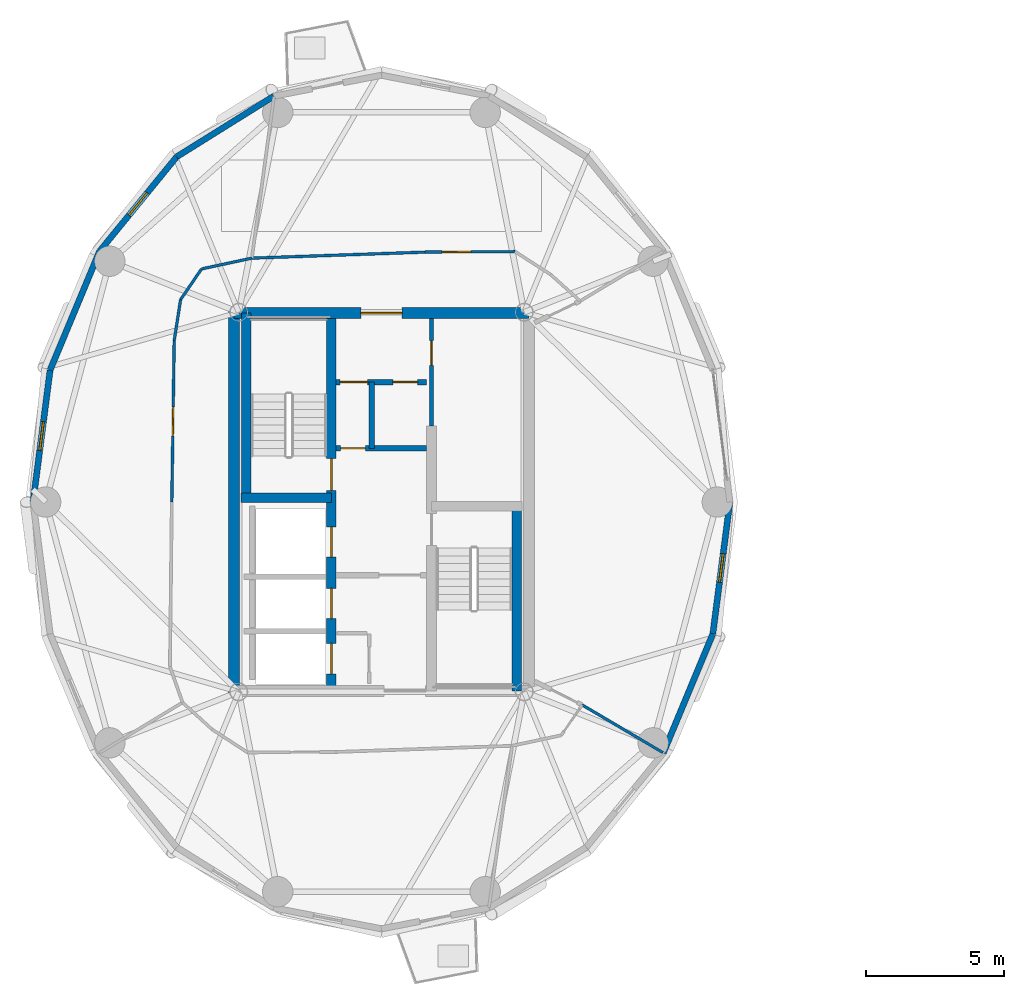
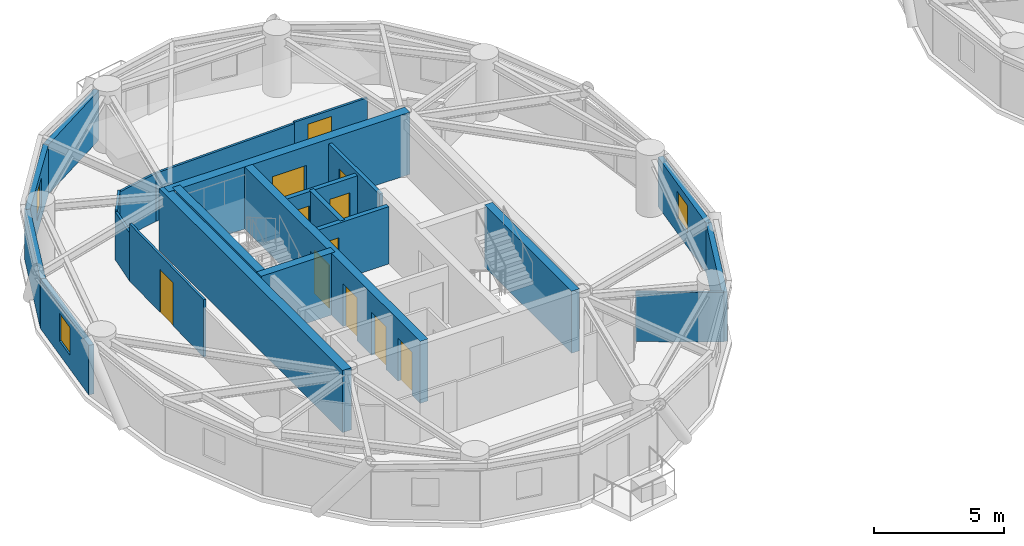
# One storey, part 8 of 15: 23 walls, 11 doors, 3 windows, 14 openings.
"""IFC4 building model written with IfcOpenShell, lengths in metres."""

from ifc_helpers import new_model, si_unit, direction, frame, frame_2d, origin, place, context, subcontext, project, spatial, rectangle, extrude, source, transform, mapped, material, layer, layer_set, type_object, element, fill, save


model = new_model("IFC4")

# Units and contexts
model_context = context("Model", 3, precision=1e-05, world=origin(), true_north=direction((0.0, 1.0)))
body_context = subcontext(model_context, "Body", "Model", "MODEL_VIEW")
ifc_project = project(units=[si_unit("LENGTHUNIT", "METRE"), si_unit("AREAUNIT", "SQUARE_METRE"), si_unit("VOLUMEUNIT", "CUBIC_METRE"), si_unit("PLANEANGLEUNIT", "RADIAN"), si_unit("MASSUNIT", "GRAM", prefix="KILO")], contexts=[model_context])

# Site, building, storey
site_placement = place(None, origin())
site = spatial("IfcSite", under=ifc_project, at=site_placement, CompositionType="ELEMENT")
building_placement = place(site_placement, origin())
building = spatial("IfcBuilding", under=site, at=building_placement, Name="Cununo Teusaquillo Station Towers", CompositionType="ELEMENT")
storey_placement = place(building_placement, frame((0.0, 0.0, 199.570068359375)))
storey = spatial("IfcBuildingStorey", under=building, at=storey_placement, Name="L63", CompositionType="ELEMENT", Elevation=199.570068359375)

# Wall, openings, doors
ifc_material_1 = material(Name="Concrete C50/60", Category="concrete")
ifc_layer_1 = layer(ifc_material_1, 0.35009765625)
ifc_layer_set_1 = layer_set([ifc_layer_1], Name="Concrete C50/60")
wall_type_1 = type_object("IfcWallType", Name="WL-CORE-350", PredefinedType="SHEAR", material=ifc_layer_set_1)
wall_1_placement = place(storey_placement, frame((14.68505859375, 17.64990234375, 0.0), z_axis=(0.0, 0.0, 1.0), x_axis=(0.0, 1.0, 0.0)))
wall_1 = element("IfcWall", 1, at=wall_1_placement, inside=storey, type_object=wall_type_1, Name="L63 Tower A Core Shear Wall IW", PredefinedType="SHEAR", context=body_context, shape_type="SweptSolid", body=[
    extrude(rectangle(XDim=13.7001953125, YDim=0.35009765625, at=frame_2d((6.85009765625, 0.0))), origin(), (0.0, 0.0, 1.0), 2.909912109375),
])
shared_shape_1 = source(origin(), body_context, "Body", "SweptSolid", [
    extrude(rectangle(XDim=1.10009765625, YDim=2.014892578125, at=frame_2d((0.550048828125, 1.00732421875))), frame((0.0, 0.18505859375, 0.0), z_axis=(0.0, -1.0, 0.0), x_axis=(1.0, 0.0, 0.0)), (0.0, 0.0, 1.0), 0.3701171875),
])
opening_1_placement = place(wall_1_placement, frame((4.85009765625, 0.0, 0.0)))
opening_1 = element("IfcOpeningElement", 2, at=opening_1_placement, cuts=wall_1, Name="Opening LD-01", PredefinedType="OPENING", context=body_context, shape_type="MappedRepresentation", body=[
    mapped(shared_shape_1, transform((0.0, 0.0, 0.0), x_axis=(1.0, 0.0, 0.0), y_axis=(0.0, 1.0, 0.0), z_axis=(0.0, 0.0, 1.0), scale=1.0)),
])
opening_2_placement = place(wall_1_placement, frame((0.625, 0.0, 0.0)))
opening_2 = element("IfcOpeningElement", 3, at=opening_2_placement, cuts=wall_1, Name="Opening LD-01", PredefinedType="OPENING", context=body_context, shape_type="MappedRepresentation", body=[
    mapped(shared_shape_1, transform((0.0, 0.0, 0.0), x_axis=(1.0, 0.0, 0.0), y_axis=(0.0, 1.0, 0.0), z_axis=(0.0, 0.0, 1.0), scale=1.0)),
])
opening_3_placement = place(wall_1_placement, frame((2.625, 0.0, 0.0)))
opening_3 = element("IfcOpeningElement", 4, at=opening_3_placement, cuts=wall_1, Name="Opening LD-01", PredefinedType="OPENING", context=body_context, shape_type="MappedRepresentation", body=[
    mapped(shared_shape_1, transform((0.0, 0.0, 0.0), x_axis=(1.0, 0.0, 0.0), y_axis=(0.0, 1.0, 0.0), z_axis=(0.0, 0.0, 1.0), scale=1.0)),
])
shared_shape_2 = source(origin(), body_context, "Body", "SweptSolid", [
    extrude(rectangle(XDim=1.14990234375, YDim=2.02001953125, at=frame_2d((0.574951171875, 1.010009765625))), frame((0.0, 0.18505859375, 0.0), z_axis=(0.0, -1.0, 0.0), x_axis=(1.0, 0.0, 0.0)), (0.0, 0.0, 1.0), 0.3701171875),
])
opening_4_placement = place(wall_1_placement, frame((7.27001953125, 0.0, 0.0)))
opening_4 = element("IfcOpeningElement", 5, at=opening_4_placement, cuts=wall_1, Name="Opening D-ST1", PredefinedType="OPENING", context=body_context, shape_type="MappedRepresentation", body=[
    mapped(shared_shape_2, transform((0.0, 0.0, 0.0), x_axis=(1.0, 0.0, 0.0), y_axis=(0.0, 1.0, 0.0), z_axis=(0.0, 0.0, 1.0), scale=1.0)),
])
ifc_material_2 = material(Name="Galvanised fire-rated hollow steel door assembly", Category="steel")
door_type_1 = type_object("IfcDoorType", Name="DR-LIFT-1100", OperationType="SLIDING_TO_LEFT", PredefinedType="DOOR", material=ifc_material_2)
shared_shape_3 = source(origin(), body_context, "Body", "SweptSolid", [
    extrude(rectangle(XDim=1.10009765625, YDim=2.014892578125, at=frame_2d((0.550048828125, 1.00732421875))), frame((0.0, 0.02490234375, 0.0), z_axis=(0.0, -1.0, 0.0), x_axis=(1.0, 0.0, 0.0)), (0.0, 0.0, 1.0), 0.050048828125),
])
door_1_placement = place(opening_1_placement, origin())
door_1 = element("IfcDoor", 6, at=door_1_placement, inside=storey, type_object=door_type_1, Name="L63 Lift FL-T1 Sliding Landing Door", OperationType="SLIDING_TO_RIGHT", OverallHeight=2.014892578125, OverallWidth=1.10009765625, PredefinedType="DOOR", context=body_context, shape_type="MappedRepresentation", body=[
    mapped(shared_shape_3, transform((0.0, 0.0, 0.0), x_axis=(1.0, 0.0, 0.0), y_axis=(0.0, 1.0, 0.0), z_axis=(0.0, 0.0, 1.0), scale=1.0)),
])
fill(opening_1, door_1)
door_2_placement = place(opening_2_placement, origin())
door_2 = element("IfcDoor", 7, at=door_2_placement, inside=storey, type_object=door_type_1, Name="L63 Lift PL-T1-H1 Sliding Landing Door", OperationType="SLIDING_TO_RIGHT", OverallHeight=2.014892578125, OverallWidth=1.10009765625, PredefinedType="DOOR", context=body_context, shape_type="MappedRepresentation", body=[
    mapped(shared_shape_3, transform((0.0, 0.0, 0.0), x_axis=(1.0, 0.0, 0.0), y_axis=(0.0, 1.0, 0.0), z_axis=(0.0, 0.0, 1.0), scale=1.0)),
])
fill(opening_2, door_2)
door_3_placement = place(opening_3_placement, origin())
door_3 = element("IfcDoor", 8, at=door_3_placement, inside=storey, type_object=door_type_1, Name="L63 Lift PL-T1-H2 Sliding Landing Door", OperationType="SLIDING_TO_LEFT", OverallHeight=2.014892578125, OverallWidth=1.10009765625, PredefinedType="DOOR", context=body_context, shape_type="MappedRepresentation", body=[
    mapped(shared_shape_3, transform((0.0, 0.0, 0.0), x_axis=(1.0, 0.0, 0.0), y_axis=(0.0, 1.0, 0.0), z_axis=(0.0, 0.0, 1.0), scale=1.0)),
])
fill(opening_3, door_3)
ifc_material_3 = material(Name="Galvanised fire-rated hollow steel door assembly", Category="steel")
door_type_2 = type_object("IfcDoorType", Name="DR-STAIR-1150", OperationType="NOTDEFINED", PredefinedType="DOOR", material=ifc_material_3)
shared_shape_4 = source(origin(), body_context, "Body", "SweptSolid", [
    extrude(rectangle(XDim=1.14990234375, YDim=2.02001953125, at=frame_2d((0.574951171875, 1.010009765625))), frame((0.0, 0.02490234375, 0.0), z_axis=(0.0, -1.0, 0.0), x_axis=(1.0, 0.0, 0.0)), (0.0, 0.0, 1.0), 0.050048828125),
])
door_4_placement = place(opening_4_placement, origin())
door_4 = element("IfcDoor", 9, at=door_4_placement, inside=storey, type_object=door_type_2, Name="L63 Tower A Exit Stair 1 Fire Door", OperationType="SINGLE_SWING_RIGHT", OverallHeight=2.02001953125, OverallWidth=1.14990234375, PredefinedType="DOOR", context=body_context, shape_type="MappedRepresentation", body=[
    mapped(shared_shape_4, transform((0.0, 0.0, 0.0), x_axis=(1.0, 0.0, 0.0), y_axis=(0.0, 1.0, 0.0), z_axis=(0.0, 0.0, 1.0), scale=1.0)),
])
fill(opening_4, door_4)

# Walls
wall_2_placement = place(storey_placement, frame((11.594970703125, 24.655029296875, 0.0), z_axis=(0.0, 0.0, 1.0), x_axis=(0.0, 1.0, 0.0)))
element("IfcWall", 10, at=wall_2_placement, inside=storey, type_object=wall_type_1, Name="L63 Tower A Core Shear Wall ST1W", PredefinedType="SHEAR", context=body_context, shape_type="SweptSolid", body=[
    extrude(rectangle(XDim=6.695068359375, YDim=0.35009765625, at=frame_2d((3.34765625, 0.0))), origin(), (0.0, 0.0, 1.0), 2.909912109375),
])
wall_3_placement = place(storey_placement, frame((11.39990234375, 24.655029296875, 0.0), z_axis=(0.0, 0.0, 1.0), x_axis=(1.0, 0.0, 0.0)))
element("IfcWall", 11, at=wall_3_placement, inside=storey, type_object=wall_type_1, Name="L63 Tower A Core Shear Wall ST1S", PredefinedType="SHEAR", context=body_context, shape_type="SweptSolid", body=[
    extrude(rectangle(XDim=3.28515625, YDim=0.35009765625, at=frame_2d((1.642578125, 0.0))), origin(), (0.0, 0.0, 1.0), 2.909912109375),
])
wall_4_placement = place(storey_placement, frame((21.405029296875, 17.64990234375, 0.0), z_axis=(0.0, 0.0, 1.0), x_axis=(0.0, 1.0, 0.0)))
element("IfcWall", 12, at=wall_4_placement, inside=storey, type_object=wall_type_1, Name="L63 Tower A Core Shear Wall ST2E", PredefinedType="SHEAR", context=body_context, shape_type="SweptSolid", body=[
    extrude(rectangle(XDim=6.695068359375, YDim=0.35009765625, at=frame_2d((3.34765625, 0.0))), origin(), (0.0, 0.0, 1.0), 2.909912109375),
])
ifc_material_4 = material(Name="Concrete C50/60", Category="concrete")
ifc_layer_2 = layer(ifc_material_4, 0.39990234375)
ifc_layer_set_2 = layer_set([ifc_layer_2], Name="Concrete C50/60")
wall_type_2 = type_object("IfcWallType", Name="WL-CORE-400", PredefinedType="SHEAR", material=ifc_layer_set_2)
wall_5_placement = place(storey_placement, frame((11.14990234375, 17.449951171875, 0.0), z_axis=(0.0, 0.0, 1.0), x_axis=(0.0, 1.0, 0.0)))
element("IfcWall", 13, at=wall_5_placement, inside=storey, type_object=wall_type_2, Name="L63 Tower A Core Shear Wall W", PredefinedType="SHEAR", context=body_context, shape_type="SweptSolid", body=[
    extrude(rectangle(XDim=14.10009765625, YDim=0.39990234375, at=frame_2d((7.050048828125, 0.0))), origin(), (0.0, 0.0, 1.0), 2.909912109375),
])

# Wall, opening, door
wall_6_placement = place(storey_placement, frame((11.14990234375, 31.35009765625, 0.0), z_axis=(0.0, 0.0, 1.0), x_axis=(1.0, 0.0, 0.0)))
wall_6 = element("IfcWall", 14, at=wall_6_placement, inside=storey, type_object=wall_type_2, Name="L63 Tower A Core Shear Wall N", PredefinedType="SHEAR", context=body_context, shape_type="SweptSolid", body=[
    extrude(rectangle(XDim=10.7001953125, YDim=0.39990234375, at=frame_2d((5.35009765625, 0.0))), origin(), (0.0, 0.0, 1.0), 2.909912109375),
])
shared_shape_5 = source(origin(), body_context, "Body", "SweptSolid", [
    extrude(rectangle(XDim=1.5, YDim=2.02001953125, at=frame_2d((0.75, 1.010009765625))), frame((0.0, 0.2099609375, 0.0), z_axis=(0.0, -1.0, 0.0), x_axis=(1.0, 0.0, 0.0)), (0.0, 0.0, 1.0), 0.419921875),
])
opening_5_placement = place(wall_6_placement, frame((4.60009765625, 0.0, 0.0)))
opening_5 = element("IfcOpeningElement", 15, at=opening_5_placement, cuts=wall_6, Name="Opening D-LB1", PredefinedType="OPENING", context=body_context, shape_type="MappedRepresentation", body=[
    mapped(shared_shape_5, transform((0.0, 0.0, 0.0), x_axis=(1.0, 0.0, 0.0), y_axis=(0.0, 1.0, 0.0), z_axis=(0.0, 0.0, 1.0), scale=1.0)),
])
ifc_material_5 = material(Name="Galvanised fire-rated hollow steel door assembly", Category="steel")
door_type_3 = type_object("IfcDoorType", Name="DR-LOBBY-1500", OperationType="DOUBLE_DOOR_SINGLE_SWING", PredefinedType="DOOR", material=ifc_material_5)
shared_shape_6 = source(origin(), body_context, "Body", "SweptSolid", [
    extrude(rectangle(XDim=1.5, YDim=2.02001953125, at=frame_2d((0.75, 1.010009765625))), frame((0.0, 0.02490234375, 0.0), z_axis=(0.0, -1.0, 0.0), x_axis=(1.0, 0.0, 0.0)), (0.0, 0.0, 1.0), 0.050048828125),
])
door_5_placement = place(opening_5_placement, origin())
door_5 = element("IfcDoor", 16, at=door_5_placement, inside=storey, type_object=door_type_3, Name="L63 Tower A North Core Lift Lobby Door", OperationType="DOUBLE_DOOR_SINGLE_SWING", OverallHeight=2.02001953125, OverallWidth=1.5, PredefinedType="DOOR", context=body_context, shape_type="MappedRepresentation", body=[
    mapped(shared_shape_6, transform((0.0, 0.0, 0.0), x_axis=(1.0, 0.0, 0.0), y_axis=(0.0, 1.0, 0.0), z_axis=(0.0, 0.0, 1.0), scale=1.0)),
])
fill(opening_5, door_5)

# Wall
ifc_material_6 = material(Name="Precast concrete C40/50", Category="concrete")
ifc_layer_3 = layer(ifc_material_6, 0.219970703125)
ifc_layer_set_3 = layer_set([ifc_layer_3], Name="Precast concrete C40/50")
wall_type_3 = type_object("IfcWallType", Name="WL-EXT-220", PredefinedType="SOLIDWALL", material=ifc_layer_set_3)
wall_7_placement = place(storey_placement, frame((9.076416015625, 37.015380859375, 0.0), z_axis=(0.0, 0.0, 1.0), x_axis=(0.848318713376, 0.529485939886, 0.0)))
element("IfcWall", 17, at=wall_7_placement, inside=storey, type_object=wall_type_3, Name="L63 Tower A Exterior Facade Wall C06", PredefinedType="SOLIDWALL", context=body_context, shape_type="SweptSolid", body=[
    extrude(rectangle(XDim=4.150390625, YDim=0.219970703125, at=frame_2d((2.0751953125, 0.0))), origin(), (0.0, 0.0, 1.0), 2.322021484375),
])

# Wall, opening, window
wall_8_placement = place(storey_placement, frame((6.281982421875, 33.593017578125, 0.0), z_axis=(0.0, 0.0, 1.0), x_axis=(0.632467166636, 0.774587169483, 0.0)))
wall_8 = element("IfcWall", 18, at=wall_8_placement, inside=storey, type_object=wall_type_3, Name="L63 Tower A Exterior Facade Wall C07", PredefinedType="SOLIDWALL", context=body_context, shape_type="SweptSolid", body=[
    extrude(rectangle(XDim=4.418212890625, YDim=0.219970703125, at=frame_2d((2.208984375, 0.0))), origin(), (0.0, 0.0, 1.0), 2.322021484375),
])
shared_shape_7 = source(origin(), body_context, "Body", "SweptSolid", [
    extrude(rectangle(XDim=1.050048828125, YDim=1.300048828125, at=frame_2d((0.52490234375, 0.64990234375))), frame((0.0, 0.119873046875, 0.0), z_axis=(0.0, -1.0, 0.0), x_axis=(1.0, 0.0, 0.0)), (0.0, 0.0, 1.0), 0.239990234375),
])
opening_6_placement = place(wall_8_placement, frame((1.68408203125, 0.0, 0.64990234375)))
opening_6 = element("IfcOpeningElement", 19, at=opening_6_placement, cuts=wall_8, Name="Opening WN-04", PredefinedType="OPENING", context=body_context, shape_type="MappedRepresentation", body=[
    mapped(shared_shape_7, transform((0.0, 0.0, 0.0), x_axis=(1.0, 0.0, 0.0), y_axis=(0.0, 1.0, 0.0), z_axis=(0.0, 0.0, 1.0), scale=1.0)),
])
ifc_material_7 = material(Name="Operable acoustic tinted low-E double glazing", Category="glass")
window_type = type_object("IfcWindowType", Name="WIN-BAL-1050", PartitioningType="SINGLE_PANEL", PredefinedType="WINDOW", material=ifc_material_7)
shared_shape_8 = source(origin(), body_context, "Body", "SweptSolid", [
    extrude(rectangle(XDim=1.050048828125, YDim=1.300048828125, at=frame_2d((0.52490234375, 0.64990234375))), frame((0.0, 0.030029296875, 0.0), z_axis=(0.0, -1.0, 0.0), x_axis=(1.0, 0.0, 0.0)), (0.0, 0.0, 1.0), 0.06005859375),
])
window_1_placement = place(opening_6_placement, origin())
window_1 = element("IfcWindow", 20, at=window_1_placement, inside=storey, type_object=window_type, Name="L63 Tower A Facade Window C07", OverallHeight=1.300048828125, OverallWidth=1.050048828125, PartitioningType="SINGLE_PANEL", PredefinedType="WINDOW", context=body_context, shape_type="MappedRepresentation", body=[
    mapped(shared_shape_8, transform((0.0, 0.0, 0.0), x_axis=(1.0, 0.0, 0.0), y_axis=(0.0, 1.0, 0.0), z_axis=(0.0, 0.0, 1.0), scale=1.0)),
])
fill(opening_6, window_1)

# Wall
wall_9_placement = place(storey_placement, frame((4.48828125, 29.280517578125, 0.0), z_axis=(0.0, 0.0, 1.0), x_axis=(0.384036305194, 0.923317993052, 0.0)))
element("IfcWall", 21, at=wall_9_placement, inside=storey, type_object=wall_type_3, Name="L63 Tower A Exterior Facade Wall C08", PredefinedType="SOLIDWALL", context=body_context, shape_type="SweptSolid", body=[
    extrude(rectangle(XDim=4.670654296875, YDim=0.219970703125, at=frame_2d((2.33544921875, 0.0))), origin(), (0.0, 0.0, 1.0), 2.322021484375),
])

# Wall, opening, window
wall_10_placement = place(storey_placement, frame((3.8701171875, 24.5, 0.0), z_axis=(0.0, 0.0, 1.0), x_axis=(0.128241318541, 0.991742993027, 0.0)))
wall_10 = element("IfcWall", 22, at=wall_10_placement, inside=storey, type_object=wall_type_3, Name="L63 Tower A Exterior Facade Wall C09", PredefinedType="SOLIDWALL", context=body_context, shape_type="SweptSolid", body=[
    extrude(rectangle(XDim=4.8203125, YDim=0.219970703125, at=frame_2d((2.41015625, 0.0))), origin(), (0.0, 0.0, 1.0), 2.322021484375),
])
opening_7_placement = place(wall_10_placement, frame((1.885009765625, 0.0, 0.64990234375)))
opening_7 = element("IfcOpeningElement", 23, at=opening_7_placement, cuts=wall_10, Name="Opening WN-04", PredefinedType="OPENING", context=body_context, shape_type="MappedRepresentation", body=[
    mapped(shared_shape_7, transform((0.0, 0.0, 0.0), x_axis=(1.0, 0.0, 0.0), y_axis=(0.0, 1.0, 0.0), z_axis=(0.0, 0.0, 1.0), scale=1.0)),
])
window_2_placement = place(opening_7_placement, origin())
window_2 = element("IfcWindow", 24, at=window_2_placement, inside=storey, type_object=window_type, Name="L63 Tower A Facade Window C09", OverallHeight=1.300048828125, OverallWidth=1.050048828125, PartitioningType="SINGLE_PANEL", PredefinedType="WINDOW", context=body_context, shape_type="MappedRepresentation", body=[
    mapped(shared_shape_8, transform((0.0, 0.0, 0.0), x_axis=(1.0, 0.0, 0.0), y_axis=(0.0, 1.0, 0.0), z_axis=(0.0, 0.0, 1.0), scale=1.0)),
])
fill(opening_7, window_2)

# Wall
wall_11_placement = place(storey_placement, frame((28.51171875, 19.719482421875, 0.0), z_axis=(0.0, 0.0, 1.0), x_axis=(-0.384036305194, -0.923317993052, 0.0)))
element("IfcWall", 25, at=wall_11_placement, inside=storey, type_object=wall_type_3, Name="L63 Tower A Exterior Facade Wall C18", PredefinedType="SOLIDWALL", context=body_context, shape_type="SweptSolid", body=[
    extrude(rectangle(XDim=4.670654296875, YDim=0.219970703125, at=frame_2d((2.33544921875, 0.0))), origin(), (0.0, 0.0, 1.0), 2.322021484375),
])

# Wall, opening, window
wall_12_placement = place(storey_placement, frame((29.1298828125, 24.5, 0.0), z_axis=(0.0, 0.0, 1.0), x_axis=(-0.128241318541, -0.991742993027, 0.0)))
wall_12 = element("IfcWall", 26, at=wall_12_placement, inside=storey, type_object=wall_type_3, Name="L63 Tower A Exterior Facade Wall C19", PredefinedType="SOLIDWALL", context=body_context, shape_type="SweptSolid", body=[
    extrude(rectangle(XDim=4.8203125, YDim=0.219970703125, at=frame_2d((2.41015625, 0.0))), origin(), (0.0, 0.0, 1.0), 2.322021484375),
])
opening_8_placement = place(wall_12_placement, frame((1.885009765625, 0.0, 0.64990234375)))
opening_8 = element("IfcOpeningElement", 27, at=opening_8_placement, cuts=wall_12, Name="Opening WN-04", PredefinedType="OPENING", context=body_context, shape_type="MappedRepresentation", body=[
    mapped(shared_shape_7, transform((0.0, 0.0, 0.0), x_axis=(1.0, 0.0, 0.0), y_axis=(0.0, 1.0, 0.0), z_axis=(0.0, 0.0, 1.0), scale=1.0)),
])
window_3_placement = place(opening_8_placement, origin())
window_3 = element("IfcWindow", 28, at=window_3_placement, inside=storey, type_object=window_type, Name="L63 Tower A Facade Window C19", OverallHeight=1.300048828125, OverallWidth=1.050048828125, PartitioningType="SINGLE_PANEL", PredefinedType="WINDOW", context=body_context, shape_type="MappedRepresentation", body=[
    mapped(shared_shape_8, transform((0.0, 0.0, 0.0), x_axis=(1.0, 0.0, 0.0), y_axis=(0.0, 1.0, 0.0), z_axis=(0.0, 0.0, 1.0), scale=1.0)),
])
fill(opening_8, window_3)

# Wall, opening, door
ifc_material_8 = material(Name="Fire-rated gypsum plasterboard partition assembly", Category="gypsum")
ifc_layer_4 = layer(ifc_material_8, 0.10009765625)
ifc_layer_set_4 = layer_set([ifc_layer_4], Name="Fire-rated gypsum plasterboard partition assembly")
wall_type_4 = type_object("IfcWallType", Name="WL-PART-100", PredefinedType="MOVABLE", material=ifc_layer_set_4)
wall_13_placement = place(storey_placement, frame((21.343505859375, 33.577880859375, 0.0), z_axis=(0.0, 0.0, 1.0), x_axis=(-0.999984243152, -0.005613684, 0.0)))
wall_13 = element("IfcWall", 29, at=wall_13_placement, inside=storey, type_object=wall_type_4, Name="L63 Tower A Corridor Ring Wall C04", PredefinedType="MOVABLE", context=body_context, shape_type="SweptSolid", body=[
    extrude(rectangle(XDim=3.26171875, YDim=0.10009765625, at=frame_2d((1.630859375, 0.0))), origin(), (0.0, 0.0, 1.0), 2.322021484375),
])
shared_shape_9 = source(origin(), body_context, "Body", "SweptSolid", [
    extrude(rectangle(XDim=1.050048828125, YDim=2.014892578125, at=frame_2d((0.52490234375, 1.00732421875))), frame((0.0, 0.06005859375, 0.0), z_axis=(0.0, -1.0, 0.0), x_axis=(1.0, 0.0, 0.0)), (0.0, 0.0, 1.0), 0.1201171875),
])
opening_9_placement = place(wall_13_placement, frame((1.598876953125, 0.0, 0.0)))
opening_9 = element("IfcOpeningElement", 30, at=opening_9_placement, cuts=wall_13, Name="Opening D-SU1", PredefinedType="OPENING", context=body_context, shape_type="MappedRepresentation", body=[
    mapped(shared_shape_9, transform((0.0, 0.0, 0.0), x_axis=(1.0, 0.0, 0.0), y_axis=(0.0, 1.0, 0.0), z_axis=(0.0, 0.0, 1.0), scale=1.0)),
])
ifc_material_9 = material(Name="Acoustic solid-core hardwood leaf assembly", Category="wood")
door_type_4 = type_object("IfcDoorType", Name="DR-SUITE-1050", OperationType="NOTDEFINED", PredefinedType="DOOR", material=ifc_material_9)
shared_shape_10 = source(origin(), body_context, "Body", "SweptSolid", [
    extrude(rectangle(XDim=1.050048828125, YDim=2.014892578125, at=frame_2d((0.52490234375, 1.00732421875))), frame((0.0, 0.02490234375, 0.0), z_axis=(0.0, -1.0, 0.0), x_axis=(1.0, 0.0, 0.0)), (0.0, 0.0, 1.0), 0.050048828125),
])
door_6_placement = place(opening_9_placement, origin())
door_6 = element("IfcDoor", 31, at=door_6_placement, inside=storey, type_object=door_type_4, Name="L63 Tower A Family Office Investment Landscape Hall Entrance Door", OperationType="SINGLE_SWING_LEFT", OverallHeight=2.014892578125, OverallWidth=1.050048828125, PredefinedType="DOOR", context=body_context, shape_type="MappedRepresentation", body=[
    mapped(shared_shape_10, transform((0.0, 0.0, 0.0), x_axis=(1.0, 0.0, 0.0), y_axis=(0.0, 1.0, 0.0), z_axis=(0.0, 0.0, 1.0), scale=1.0)),
])
fill(opening_9, door_6)

# Walls
wall_14_placement = place(storey_placement, frame((18.081787109375, 33.5595703125, 0.0), z_axis=(0.0, 0.0, 1.0), x_axis=(-0.999399009709, -0.034664382185, 0.0)))
element("IfcWall", 32, at=wall_14_placement, inside=storey, type_object=wall_type_4, Name="L63 Tower A Corridor Ring Wall C05", PredefinedType="MOVABLE", context=body_context, shape_type="SweptSolid", body=[
    extrude(rectangle(XDim=6.2822265625, YDim=0.10009765625, at=frame_2d((3.14111328125, 0.0))), origin(), (0.0, 0.0, 1.0), 2.2548828125),
])
wall_15_placement = place(storey_placement, frame((11.80322265625, 33.341796875, 0.0), z_axis=(0.0, 0.0, 1.0), x_axis=(-0.977750742783, -0.209770076483, 0.0)))
element("IfcWall", 33, at=wall_15_placement, inside=storey, type_object=wall_type_4, Name="L63 Tower A Corridor Ring Wall C06", PredefinedType="MOVABLE", context=body_context, shape_type="SweptSolid", body=[
    extrude(rectangle(XDim=1.867919921875, YDim=0.10009765625, at=frame_2d((0.93408203125, 0.0))), origin(), (0.0, 0.0, 1.0), 2.2548828125),
])
wall_16_placement = place(storey_placement, frame((9.976806640625, 32.949951171875, 0.0), z_axis=(0.0, 0.0, 1.0), x_axis=(-0.563291804539, -0.826258036535, 0.0)))
element("IfcWall", 34, at=wall_16_placement, inside=storey, type_object=wall_type_4, Name="L63 Tower A Corridor Ring Wall C07", PredefinedType="MOVABLE", context=body_context, shape_type="SweptSolid", body=[
    extrude(rectangle(XDim=1.34619140625, YDim=0.10009765625, at=frame_2d((0.673095703125, 0.0))), origin(), (0.0, 0.0, 1.0), 2.322021484375),
])
wall_17_placement = place(storey_placement, frame((9.218505859375, 31.837646484375, 0.0), z_axis=(0.0, 0.0, 1.0), x_axis=(-0.154065528966, -0.98806063214, 0.0)))
element("IfcWall", 35, at=wall_17_placement, inside=storey, type_object=wall_type_4, Name="L63 Tower A Corridor Ring Wall C08", PredefinedType="MOVABLE", context=body_context, shape_type="SweptSolid", body=[
    extrude(rectangle(XDim=1.507080078125, YDim=0.10009765625, at=frame_2d((0.75341796875, 0.0))), origin(), (0.0, 0.0, 1.0), 2.2548828125),
])

# Wall, opening, door
wall_18_placement = place(storey_placement, frame((8.986328125, 30.3486328125, 0.0), z_axis=(0.0, 0.0, 1.0), x_axis=(-0.014775478218, -0.999890836663, 0.0)))
wall_18 = element("IfcWall", 36, at=wall_18_placement, inside=storey, type_object=wall_type_4, Name="L63 Tower A Corridor Ring Wall C09", PredefinedType="MOVABLE", context=body_context, shape_type="SweptSolid", body=[
    extrude(rectangle(XDim=5.849365234375, YDim=0.10009765625, at=frame_2d((2.9248046875, 0.0))), origin(), (0.0, 0.0, 1.0), 2.684814453125),
])
opening_10_placement = place(wall_18_placement, frame((2.399658203125, 0.0, 0.0)))
opening_10 = element("IfcOpeningElement", 37, at=opening_10_placement, cuts=wall_18, Name="Opening D-SU1", PredefinedType="OPENING", context=body_context, shape_type="MappedRepresentation", body=[
    mapped(shared_shape_9, transform((0.0, 0.0, 0.0), x_axis=(1.0, 0.0, 0.0), y_axis=(0.0, 1.0, 0.0), z_axis=(0.0, 0.0, 1.0), scale=1.0)),
])
door_7_placement = place(opening_10_placement, origin())
door_7 = element("IfcDoor", 38, at=door_7_placement, inside=storey, type_object=door_type_4, Name="L63 Tower A Sovereign Advisory Boardroom Entrance Door", OperationType="SINGLE_SWING_RIGHT", OverallHeight=2.014892578125, OverallWidth=1.050048828125, PredefinedType="DOOR", context=body_context, shape_type="MappedRepresentation", body=[
    mapped(shared_shape_10, transform((0.0, 0.0, 0.0), x_axis=(1.0, 0.0, 0.0), y_axis=(0.0, 1.0, 0.0), z_axis=(0.0, 0.0, 1.0), scale=1.0)),
])
fill(opening_10, door_7)

# Wall
wall_19_placement = place(storey_placement, frame((23.773681640625, 17.14599609375, 0.0), z_axis=(0.0, 0.0, 1.0), x_axis=(0.861296601099, -0.508102514198, 0.0)))
element("IfcWall", 39, at=wall_19_placement, inside=storey, type_object=wall_type_4, Name="L63 Tower A Radial Suite Partition R05", PredefinedType="MOVABLE", context=body_context, shape_type="SweptSolid", body=[
    extrude(rectangle(XDim=3.3994140625, YDim=0.10009765625, at=frame_2d((1.69970703125, 0.0))), origin(), (0.0, 0.0, 1.0), 2.322021484375),
])

# Wall, opening, door
ifc_material_10 = material(Name="Fire-rated gypsum plasterboard partition assembly", Category="gypsum")
ifc_layer_5 = layer(ifc_material_10, 0.159912109375)
ifc_layer_set_5 = layer_set([ifc_layer_5], Name="Fire-rated gypsum plasterboard partition assembly")
wall_type_5 = type_object("IfcWallType", Name="WL-PART-160", PredefinedType="PARTITIONING", material=ifc_layer_set_5)
wall_20_placement = place(storey_placement, frame((18.31494140625, 27.25, 0.0), z_axis=(0.0, 0.0, 1.0), x_axis=(0.0, 1.0, 0.0)))
wall_20 = element("IfcWall", 40, at=wall_20_placement, inside=storey, type_object=wall_type_5, Name="L63 Tower A Reclaimed Core Bay Entry Wall", PredefinedType="PARTITIONING", context=body_context, shape_type="SweptSolid", body=[
    extrude(rectangle(XDim=3.89990234375, YDim=0.159912109375, at=frame_2d((1.949951171875, 0.0))), origin(), (0.0, 0.0, 1.0), 2.684814453125),
])
shared_shape_11 = source(origin(), body_context, "Body", "SweptSolid", [
    extrude(rectangle(XDim=0.89990234375, YDim=2.0048828125, at=frame_2d((0.449951171875, 1.00244140625))), frame((0.0, 0.08984375, 0.0), z_axis=(0.0, -1.0, 0.0), x_axis=(1.0, 0.0, 0.0)), (0.0, 0.0, 1.0), 0.179931640625),
])
opening_11_placement = place(wall_20_placement, frame((2.199951171875, 0.0, 0.0)))
opening_11 = element("IfcOpeningElement", 41, at=opening_11_placement, cuts=wall_20, Name="Opening D-IN1", PredefinedType="OPENING", context=body_context, shape_type="MappedRepresentation", body=[
    mapped(shared_shape_11, transform((0.0, 0.0, 0.0), x_axis=(1.0, 0.0, 0.0), y_axis=(0.0, 1.0, 0.0), z_axis=(0.0, 0.0, 1.0), scale=1.0)),
])
ifc_material_11 = material(Name="Acoustic solid-core hardwood leaf assembly", Category="wood")
door_type_5 = type_object("IfcDoorType", Name="DR-INT-900", OperationType="NOTDEFINED", PredefinedType="DOOR", material=ifc_material_11)
shared_shape_12 = source(origin(), body_context, "Body", "SweptSolid", [
    extrude(rectangle(XDim=0.89990234375, YDim=2.0048828125, at=frame_2d((0.449951171875, 1.00244140625))), frame((0.0, 0.02490234375, 0.0), z_axis=(0.0, -1.0, 0.0), x_axis=(1.0, 0.0, 0.0)), (0.0, 0.0, 1.0), 0.050048828125),
])
door_8_placement = place(opening_11_placement, origin())
door_8 = element("IfcDoor", 42, at=door_8_placement, inside=storey, type_object=door_type_5, Name="L63 Tower A Reclaimed Core Lounge Door", OperationType="SINGLE_SWING_RIGHT", OverallHeight=2.0048828125, OverallWidth=0.89990234375, PredefinedType="DOOR", context=body_context, shape_type="MappedRepresentation", body=[
    mapped(shared_shape_12, transform((0.0, 0.0, 0.0), x_axis=(1.0, 0.0, 0.0), y_axis=(0.0, 1.0, 0.0), z_axis=(0.0, 0.0, 1.0), scale=1.0)),
])
fill(opening_11, door_8)

ifc_material_12 = material(Name="Fire-rated gypsum plasterboard partition assembly", Category="gypsum")
ifc_layer_6 = layer(ifc_material_12, 0.199951171875)
ifc_layer_set_6 = layer_set([ifc_layer_6], Name="Fire-rated gypsum plasterboard partition assembly")
wall_type_6 = type_object("IfcWallType", Name="WL-PART-200", PredefinedType="PARTITIONING", material=ifc_layer_set_6)
wall_21_placement = place(storey_placement, frame((14.860107421875, 26.449951171875, 0.0), z_axis=(0.0, 0.0, 1.0), x_axis=(1.0, 0.0, 0.0)))
wall_21 = element("IfcWall", 43, at=wall_21_placement, inside=storey, type_object=wall_type_6, Name="L63 Tower A Firefighting Lift Lobby North Fire Wall", PredefinedType="PARTITIONING", context=body_context, shape_type="SweptSolid", body=[
    extrude(rectangle(XDim=3.27978515625, YDim=0.199951171875, at=frame_2d((1.639892578125, 0.0))), origin(), (0.0, 0.0, 1.0), 2.684814453125),
])
shared_shape_13 = source(origin(), body_context, "Body", "SweptSolid", [
    extrude(rectangle(XDim=0.89990234375, YDim=2.0048828125, at=frame_2d((0.449951171875, 1.00244140625))), frame((0.0, 0.10986328125, 0.0), z_axis=(0.0, -1.0, 0.0), x_axis=(1.0, 0.0, 0.0)), (0.0, 0.0, 1.0), 0.219970703125),
])
opening_12_placement = place(wall_21_placement, frame((0.159912109375, 0.0, 0.0)))
opening_12 = element("IfcOpeningElement", 44, at=opening_12_placement, cuts=wall_21, Name="Opening D-SR1", PredefinedType="OPENING", context=body_context, shape_type="MappedRepresentation", body=[
    mapped(shared_shape_13, transform((0.0, 0.0, 0.0), x_axis=(1.0, 0.0, 0.0), y_axis=(0.0, 1.0, 0.0), z_axis=(0.0, 0.0, 1.0), scale=1.0)),
])
ifc_material_13 = material(Name="Galvanised fire-rated hollow steel door assembly", Category="steel")
door_type_6 = type_object("IfcDoorType", Name="DR-STORE-900", OperationType="NOTDEFINED", PredefinedType="DOOR", material=ifc_material_13)
door_9_placement = place(opening_12_placement, origin())
door_9 = element("IfcDoor", 45, at=door_9_placement, inside=storey, type_object=door_type_6, Name="L63 Tower A Stair 1 Protected Vestibule South Door", OperationType="SINGLE_SWING_RIGHT", OverallHeight=2.0048828125, OverallWidth=0.89990234375, PredefinedType="DOOR", context=body_context, shape_type="MappedRepresentation", body=[
    mapped(shared_shape_12, transform((0.0, 0.0, 0.0), x_axis=(1.0, 0.0, 0.0), y_axis=(0.0, 1.0, 0.0), z_axis=(0.0, 0.0, 1.0), scale=1.0)),
])
fill(opening_12, door_9)

# Wall
wall_22_placement = place(storey_placement, frame((16.14990234375, 26.449951171875, 0.0), z_axis=(0.0, 0.0, 1.0), x_axis=(0.0, 1.0, 0.0)))
element("IfcWall", 46, at=wall_22_placement, inside=storey, type_object=wall_type_6, Name="L63 Tower A Stair 1 Vestibule Partition Wall", PredefinedType="PARTITIONING", context=body_context, shape_type="SweptSolid", body=[
    extrude(rectangle(XDim=2.400146484375, YDim=0.199951171875, at=frame_2d((1.2001953125, 0.0))), origin(), (0.0, 0.0, 1.0), 2.684814453125),
])

# Wall, openings, doors
wall_23_placement = place(storey_placement, frame((14.860107421875, 28.85009765625, 0.0), z_axis=(0.0, 0.0, 1.0), x_axis=(1.0, 0.0, 0.0)))
wall_23 = element("IfcWall", 47, at=wall_23_placement, inside=storey, type_object=wall_type_6, Name="L63 Tower A North Lift Lobby South Fire Wall", PredefinedType="PARTITIONING", context=body_context, shape_type="SweptSolid", body=[
    extrude(rectangle(XDim=3.27978515625, YDim=0.199951171875, at=frame_2d((1.639892578125, 0.0))), origin(), (0.0, 0.0, 1.0), 2.684814453125),
])
shared_shape_14 = source(origin(), body_context, "Body", "SweptSolid", [
    extrude(rectangle(XDim=1.0, YDim=2.014892578125, at=frame_2d((0.5, 1.00732421875))), frame((0.0, 0.10986328125, 0.0), z_axis=(0.0, -1.0, 0.0), x_axis=(1.0, 0.0, 0.0)), (0.0, 0.0, 1.0), 0.219970703125),
])
opening_13_placement = place(wall_23_placement, frame((0.139892578125, 0.0, 0.0)))
opening_13 = element("IfcOpeningElement", 48, at=opening_13_placement, cuts=wall_23, Name="Opening D-AC1", PredefinedType="OPENING", context=body_context, shape_type="MappedRepresentation", body=[
    mapped(shared_shape_14, transform((0.0, 0.0, 0.0), x_axis=(1.0, 0.0, 0.0), y_axis=(0.0, 1.0, 0.0), z_axis=(0.0, 0.0, 1.0), scale=1.0)),
])
opening_14_placement = place(wall_23_placement, frame((2.050048828125, 0.0, 0.0)))
opening_14 = element("IfcOpeningElement", 49, at=opening_14_placement, cuts=wall_23, Name="Opening D-SR1", PredefinedType="OPENING", context=body_context, shape_type="MappedRepresentation", body=[
    mapped(shared_shape_13, transform((0.0, 0.0, 0.0), x_axis=(1.0, 0.0, 0.0), y_axis=(0.0, 1.0, 0.0), z_axis=(0.0, 0.0, 1.0), scale=1.0)),
])
door_10_placement = place(opening_14_placement, origin())
door_10 = element("IfcDoor", 50, at=door_10_placement, inside=storey, type_object=door_type_6, Name="L63 Tower A Core Housekeeping & Linen Store Door", OperationType="SINGLE_SWING_LEFT", OverallHeight=2.0048828125, OverallWidth=0.89990234375, PredefinedType="DOOR", context=body_context, shape_type="MappedRepresentation", body=[
    mapped(shared_shape_12, transform((0.0, 0.0, 0.0), x_axis=(1.0, 0.0, 0.0), y_axis=(0.0, 1.0, 0.0), z_axis=(0.0, 0.0, 1.0), scale=1.0)),
])
fill(opening_14, door_10)
ifc_material_14 = material(Name="Acoustic solid-core hardwood leaf assembly", Category="wood")
door_type_7 = type_object("IfcDoorType", Name="DR-ACC-1000", OperationType="NOTDEFINED", PredefinedType="DOOR", material=ifc_material_14)
shared_shape_15 = source(origin(), body_context, "Body", "SweptSolid", [
    extrude(rectangle(XDim=1.0, YDim=2.014892578125, at=frame_2d((0.5, 1.00732421875))), frame((0.0, 0.02490234375, 0.0), z_axis=(0.0, -1.0, 0.0), x_axis=(1.0, 0.0, 0.0)), (0.0, 0.0, 1.0), 0.050048828125),
])
door_11_placement = place(opening_13_placement, origin())
door_11 = element("IfcDoor", 51, at=door_11_placement, inside=storey, type_object=door_type_7, Name="L63 Tower A North Lift Lobby to Stair 1 Vestibule Door", OperationType="SINGLE_SWING_LEFT", OverallHeight=2.014892578125, OverallWidth=1.0, PredefinedType="DOOR", context=body_context, shape_type="MappedRepresentation", body=[
    mapped(shared_shape_15, transform((0.0, 0.0, 0.0), x_axis=(1.0, 0.0, 0.0), y_axis=(0.0, 1.0, 0.0), z_axis=(0.0, 0.0, 1.0), scale=1.0)),
])
fill(opening_13, door_11)

save(model, "model.ifc")
